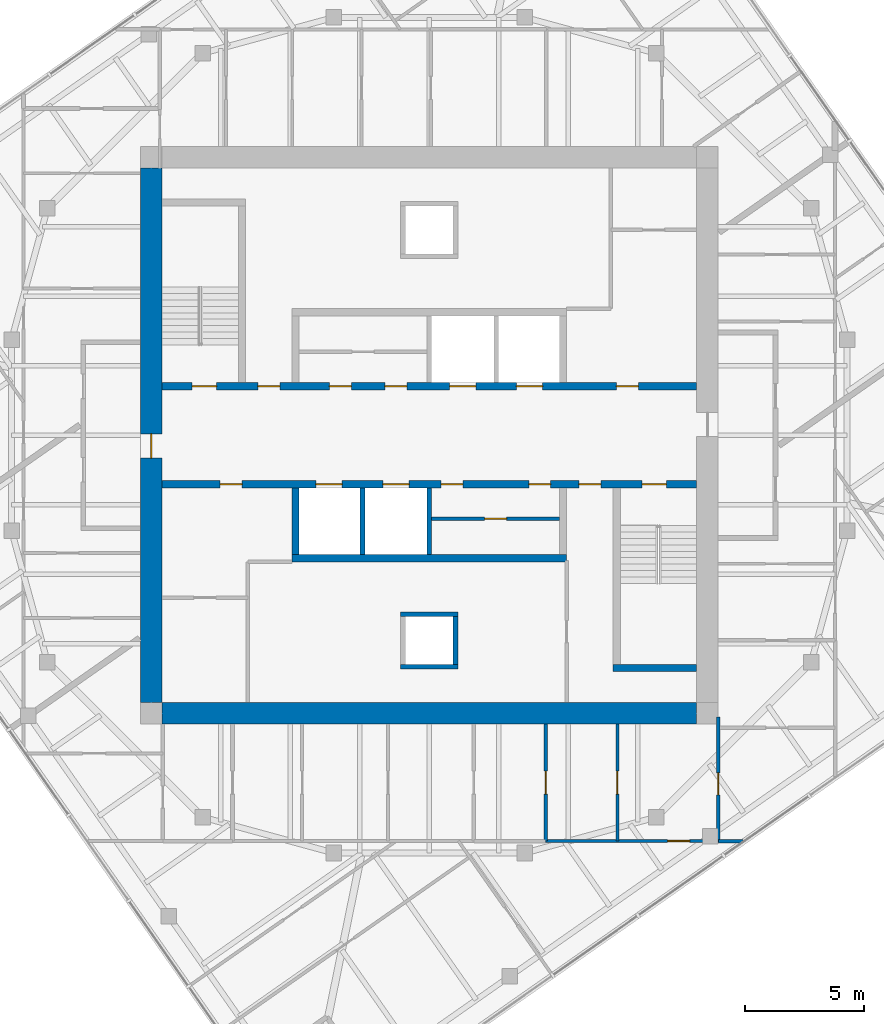
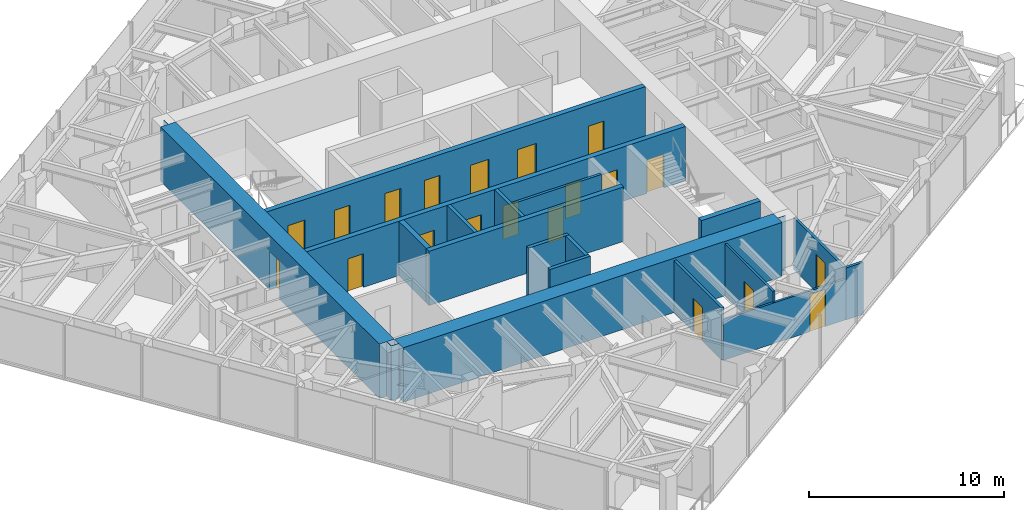
# One storey, part 8 of 12: 20 doors, 18 walls, 20 openings.
"""IFC4 building model written with IfcOpenShell, lengths in metres."""

from ifc_helpers import new_model, si_unit, direction, frame, frame_2d, origin, place, context, subcontext, project, spatial, polyline, rectangle, outline, extrude, material, layer, layer_set, type_object, element, fill, save


model = new_model("IFC4")

# Units and contexts
model_context = context("Model", 3, precision=1e-05, world=origin(), true_north=direction((0.0, 1.0)))
body_context = subcontext(model_context, "Body", "Model", "MODEL_VIEW")
ifc_project = project(units=[si_unit("LENGTHUNIT", "METRE"), si_unit("AREAUNIT", "SQUARE_METRE"), si_unit("VOLUMEUNIT", "CUBIC_METRE"), si_unit("PLANEANGLEUNIT", "RADIAN"), si_unit("MASSUNIT", "GRAM", prefix="KILO")], contexts=[model_context])

# Site, building, storey
site_placement = place(None, origin())
site = spatial("IfcSite", under=ifc_project, at=site_placement, CompositionType="ELEMENT")
building_placement = place(site_placement, origin())
building = spatial("IfcBuilding", under=site, at=building_placement, Name="Torsade Residences", CompositionType="ELEMENT")
storey_placement = place(building_placement, frame((0.0, 0.0, 247.199951171875)))
storey = spatial("IfcBuildingStorey", under=building, at=storey_placement, Name="L68", CompositionType="ELEMENT", Elevation=247.199951171875)

# Wall, openings, doors
ifc_material_1 = material(Name="Concrete 80 MPa", Category="concrete")
ifc_layer_1 = layer(ifc_material_1, 0.300048828125)
ifc_layer_set_1 = layer_set([ifc_layer_1], Name="Concrete 80 MPa")
wall_type_1 = type_object("IfcWallType", Name="CORE INTERNAL WALL 300", PredefinedType="SHEAR", material=ifc_layer_set_1)
wall_1_placement = place(storey_placement, frame((28.800048828125, 32.050048828125, 0.0), z_axis=(0.0, 0.0, 1.0), x_axis=(1.0, 0.0, 0.0)))
wall_1 = element("IfcWall", 1, at=wall_1_placement, inside=storey, type_object=wall_type_1, Name="Core wall LN L68", PredefinedType="SHEAR", context=body_context, shape_type="SweptSolid", body=[
    extrude(rectangle(XDim=22.39990234375, YDim=0.300048828125, at=frame_2d((11.199951171875, 0.0))), origin(), (0.0, 0.0, 1.0), 3.400146484375),
])
opening_1_placement = place(wall_1_placement, frame((19.0400390625, 0.0, 0.0)))
opening_1 = element("IfcOpeningElement", 2, at=opening_1_placement, cuts=wall_1, Name="Opening D06", PredefinedType="OPENING", context=body_context, shape_type="SweptSolid", body=[
    extrude(rectangle(XDim=0.919921875, YDim=2.10009765625, at=frame_2d((0.4599609375, 1.050048828125))), frame((0.0, 0.159912109375, 0.0), z_axis=(0.0, -1.0, 0.0), x_axis=(1.0, 0.0, 0.0)), (0.0, 0.0, 1.0), 0.320068359375),
])
opening_2_placement = place(wall_1_placement, frame((1.264892578125, 0.0, 0.0)))
opening_2 = element("IfcOpeningElement", 3, at=opening_2_placement, cuts=wall_1, Name="Opening D03", PredefinedType="OPENING", context=body_context, shape_type="SweptSolid", body=[
    extrude(rectangle(XDim=1.02001953125, YDim=2.10009765625, at=frame_2d((0.510009765625, 1.050048828125))), frame((0.0, 0.159912109375, 0.0), z_axis=(0.0, -1.0, 0.0), x_axis=(1.0, 0.0, 0.0)), (0.0, 0.0, 1.0), 0.320068359375),
])
opening_3_placement = place(wall_1_placement, frame((4.014892578125, 0.0, 0.0)))
opening_3 = element("IfcOpeningElement", 4, at=opening_3_placement, cuts=wall_1, Name="Opening D06", PredefinedType="OPENING", context=body_context, shape_type="SweptSolid", body=[
    extrude(rectangle(XDim=0.919921875, YDim=2.10009765625, at=frame_2d((0.4599609375, 1.050048828125))), frame((0.0, 0.159912109375, 0.0), z_axis=(0.0, -1.0, 0.0), x_axis=(1.0, 0.0, 0.0)), (0.0, 0.0, 1.0), 0.320068359375),
])
opening_4_placement = place(wall_1_placement, frame((7.014892578125, 0.0, 0.0)))
opening_4 = element("IfcOpeningElement", 5, at=opening_4_placement, cuts=wall_1, Name="Opening D06", PredefinedType="OPENING", context=body_context, shape_type="SweptSolid", body=[
    extrude(rectangle(XDim=0.919921875, YDim=2.10009765625, at=frame_2d((0.4599609375, 1.050048828125))), frame((0.0, 0.159912109375, 0.0), z_axis=(0.0, -1.0, 0.0), x_axis=(1.0, 0.0, 0.0)), (0.0, 0.0, 1.0), 0.320068359375),
])
opening_5_placement = place(wall_1_placement, frame((9.340087890625, 0.0, 0.0)))
opening_5 = element("IfcOpeningElement", 6, at=opening_5_placement, cuts=wall_1, Name="Opening D06", PredefinedType="OPENING", context=body_context, shape_type="SweptSolid", body=[
    extrude(rectangle(XDim=0.919921875, YDim=2.10009765625, at=frame_2d((0.4599609375, 1.050048828125))), frame((0.0, 0.159912109375, 0.0), z_axis=(0.0, -1.0, 0.0), x_axis=(1.0, 0.0, 0.0)), (0.0, 0.0, 1.0), 0.320068359375),
])
opening_6_placement = place(wall_1_placement, frame((12.050048828125, 0.0, 0.0)))
opening_6 = element("IfcOpeningElement", 7, at=opening_6_placement, cuts=wall_1, Name="Opening LD", PredefinedType="OPENING", context=body_context, shape_type="SweptSolid", body=[
    extrude(rectangle(XDim=1.10009765625, YDim=2.10009765625, at=frame_2d((0.550048828125, 1.050048828125))), frame((0.0, 0.159912109375, 0.0), z_axis=(0.0, -1.0, 0.0), x_axis=(1.0, 0.0, 0.0)), (0.0, 0.0, 1.0), 0.320068359375),
])
opening_7_placement = place(wall_1_placement, frame((14.85009765625, 0.0, 0.0)))
opening_7 = element("IfcOpeningElement", 8, at=opening_7_placement, cuts=wall_1, Name="Opening LD", PredefinedType="OPENING", context=body_context, shape_type="SweptSolid", body=[
    extrude(rectangle(XDim=1.10009765625, YDim=2.10009765625, at=frame_2d((0.550048828125, 1.050048828125))), frame((0.0, 0.159912109375, 0.0), z_axis=(0.0, -1.0, 0.0), x_axis=(1.0, 0.0, 0.0)), (0.0, 0.0, 1.0), 0.320068359375),
])
ifc_material_2 = material(Name="Steel-framed fire door", Category="steel")
door_type_1 = type_object("IfcDoorType", Name="FIRE DOOR 1020", OperationType="NOTDEFINED", PredefinedType="DOOR", material=ifc_material_2)
door_1_placement = place(opening_2_placement, origin())
door_1 = element("IfcDoor", 9, at=door_1_placement, inside=storey, type_object=door_type_1, Name="Exit door to fire-isolated stair ST1 L68", OperationType="SINGLE_SWING_RIGHT", OverallHeight=2.10009765625, OverallWidth=1.02001953125, PredefinedType="DOOR", context=body_context, shape_type="SweptSolid", body=[
    extrude(rectangle(XDim=1.02001953125, YDim=2.10009765625, at=frame_2d((0.510009765625, 1.050048828125))), frame((0.0, 0.02490234375, 0.0), z_axis=(0.0, -1.0, 0.0), x_axis=(1.0, 0.0, 0.0)), (0.0, 0.0, 1.0), 0.050048828125),
])
fill(opening_2, door_1)
ifc_material_3 = material(Name="Steel-framed fire door", Category="steel")
door_type_2 = type_object("IfcDoorType", Name="FIRE DOOR 920", OperationType="NOTDEFINED", PredefinedType="DOOR", material=ifc_material_3)
door_2_placement = place(opening_1_placement, origin())
door_2 = element("IfcDoor", 10, at=door_2_placement, inside=storey, type_object=door_type_2, Name="Door Lift lobby to Refuse room", OperationType="SINGLE_SWING_LEFT", OverallHeight=2.10009765625, OverallWidth=0.919921875, PredefinedType="DOOR", context=body_context, shape_type="SweptSolid", body=[
    extrude(rectangle(XDim=0.919921875, YDim=2.10009765625, at=frame_2d((0.4599609375, 1.050048828125))), frame((0.0, 0.02490234375, 0.0), z_axis=(0.0, -1.0, 0.0), x_axis=(1.0, 0.0, 0.0)), (0.0, 0.0, 1.0), 0.050048828125),
])
fill(opening_1, door_2)
door_3_placement = place(opening_3_placement, origin())
door_3 = element("IfcDoor", 11, at=door_3_placement, inside=storey, type_object=door_type_2, Name="Door Lift lobby to Electrical riser room", OperationType="SINGLE_SWING_LEFT", OverallHeight=2.10009765625, OverallWidth=0.919921875, PredefinedType="DOOR", context=body_context, shape_type="SweptSolid", body=[
    extrude(rectangle(XDim=0.919921875, YDim=2.10009765625, at=frame_2d((0.4599609375, 1.050048828125))), frame((0.0, 0.02490234375, 0.0), z_axis=(0.0, -1.0, 0.0), x_axis=(1.0, 0.0, 0.0)), (0.0, 0.0, 1.0), 0.050048828125),
])
fill(opening_3, door_3)
door_4_placement = place(opening_4_placement, origin())
door_4 = element("IfcDoor", 12, at=door_4_placement, inside=storey, type_object=door_type_2, Name="Door Lift lobby to Residents storage L68A", OperationType="SINGLE_SWING_RIGHT", OverallHeight=2.10009765625, OverallWidth=0.919921875, PredefinedType="DOOR", context=body_context, shape_type="SweptSolid", body=[
    extrude(rectangle(XDim=0.919921875, YDim=2.10009765625, at=frame_2d((0.4599609375, 1.050048828125))), frame((0.0, 0.02490234375, 0.0), z_axis=(0.0, -1.0, 0.0), x_axis=(1.0, 0.0, 0.0)), (0.0, 0.0, 1.0), 0.050048828125),
])
fill(opening_4, door_4)
door_5_placement = place(opening_5_placement, origin())
door_5 = element("IfcDoor", 13, at=door_5_placement, inside=storey, type_object=door_type_2, Name="Door Lift lobby to Residents storage L68A", OperationType="SINGLE_SWING_RIGHT", OverallHeight=2.10009765625, OverallWidth=0.919921875, PredefinedType="DOOR", context=body_context, shape_type="SweptSolid", body=[
    extrude(rectangle(XDim=0.919921875, YDim=2.10009765625, at=frame_2d((0.4599609375, 1.050048828125))), frame((0.0, 0.02490234375, 0.0), z_axis=(0.0, -1.0, 0.0), x_axis=(1.0, 0.0, 0.0)), (0.0, 0.0, 1.0), 0.050048828125),
])
fill(opening_5, door_5)
ifc_material_4 = material(Name="Stainless steel lift landing door", Category="steel")
door_type_3 = type_object("IfcDoorType", Name="LIFT LANDING DOOR 1100", OperationType="SLIDING_TO_LEFT", PredefinedType="DOOR", material=ifc_material_4)
door_6_placement = place(opening_6_placement, origin())
door_6 = element("IfcDoor", 14, at=door_6_placement, inside=storey, type_object=door_type_3, Name="Lift LA3 landing door L68", OperationType="SLIDING_TO_LEFT", OverallHeight=2.10009765625, OverallWidth=1.10009765625, PredefinedType="DOOR", context=body_context, shape_type="SweptSolid", body=[
    extrude(rectangle(XDim=1.10009765625, YDim=2.10009765625, at=frame_2d((0.550048828125, 1.050048828125))), frame((0.0, 0.02490234375, 0.0), z_axis=(0.0, -1.0, 0.0), x_axis=(1.0, 0.0, 0.0)), (0.0, 0.0, 1.0), 0.050048828125),
])
fill(opening_6, door_6)
door_7_placement = place(opening_7_placement, origin())
door_7 = element("IfcDoor", 15, at=door_7_placement, inside=storey, type_object=door_type_3, Name="Lift FL1 landing door L68", OperationType="SLIDING_TO_LEFT", OverallHeight=2.10009765625, OverallWidth=1.10009765625, PredefinedType="DOOR", context=body_context, shape_type="SweptSolid", body=[
    extrude(rectangle(XDim=1.10009765625, YDim=2.10009765625, at=frame_2d((0.550048828125, 1.050048828125))), frame((0.0, 0.02490234375, 0.0), z_axis=(0.0, -1.0, 0.0), x_axis=(1.0, 0.0, 0.0)), (0.0, 0.0, 1.0), 0.050048828125),
])
fill(opening_7, door_7)

wall_2_placement = place(storey_placement, frame((51.199951171875, 27.949951171875, 0.0), z_axis=(0.0, 0.0, 1.0), x_axis=(-1.0, 0.0, 0.0)))
wall_2 = element("IfcWall", 16, at=wall_2_placement, inside=storey, type_object=wall_type_1, Name="Core wall LS L68", PredefinedType="SHEAR", context=body_context, shape_type="SweptSolid", body=[
    extrude(rectangle(XDim=22.39990234375, YDim=0.300048828125, at=frame_2d((11.199951171875, 0.0))), origin(), (0.0, 0.0, 1.0), 3.400146484375),
])
opening_8_placement = place(wall_2_placement, frame((19.0400390625, 0.0, 0.0)))
opening_8 = element("IfcOpeningElement", 17, at=opening_8_placement, cuts=wall_2, Name="Opening D06", PredefinedType="OPENING", context=body_context, shape_type="SweptSolid", body=[
    extrude(rectangle(XDim=0.919921875, YDim=2.10009765625, at=frame_2d((0.4599609375, 1.050048828125))), frame((0.0, 0.159912109375, 0.0), z_axis=(0.0, -1.0, 0.0), x_axis=(1.0, 0.0, 0.0)), (0.0, 0.0, 1.0), 0.320068359375),
])
opening_9_placement = place(wall_2_placement, frame((1.264892578125, 0.0, 0.0)))
opening_9 = element("IfcOpeningElement", 18, at=opening_9_placement, cuts=wall_2, Name="Opening D03", PredefinedType="OPENING", context=body_context, shape_type="SweptSolid", body=[
    extrude(rectangle(XDim=1.02001953125, YDim=2.10009765625, at=frame_2d((0.510009765625, 1.050048828125))), frame((0.0, 0.159912109375, 0.0), z_axis=(0.0, -1.0, 0.0), x_axis=(1.0, 0.0, 0.0)), (0.0, 0.0, 1.0), 0.320068359375),
])
opening_10_placement = place(wall_2_placement, frame((4.014892578125, 0.0, 0.0)))
opening_10 = element("IfcOpeningElement", 19, at=opening_10_placement, cuts=wall_2, Name="Opening D06", PredefinedType="OPENING", context=body_context, shape_type="SweptSolid", body=[
    extrude(rectangle(XDim=0.919921875, YDim=2.10009765625, at=frame_2d((0.4599609375, 1.050048828125))), frame((0.0, 0.159912109375, 0.0), z_axis=(0.0, -1.0, 0.0), x_axis=(1.0, 0.0, 0.0)), (0.0, 0.0, 1.0), 0.320068359375),
])
opening_11_placement = place(wall_2_placement, frame((9.7900390625, 0.0, 0.0)))
opening_11 = element("IfcOpeningElement", 20, at=opening_11_placement, cuts=wall_2, Name="Opening D06", PredefinedType="OPENING", context=body_context, shape_type="SweptSolid", body=[
    extrude(rectangle(XDim=0.919921875, YDim=2.10009765625, at=frame_2d((0.4599609375, 1.050048828125))), frame((0.0, 0.159912109375, 0.0), z_axis=(0.0, -1.0, 0.0), x_axis=(1.0, 0.0, 0.0)), (0.0, 0.0, 1.0), 0.320068359375),
])
opening_12_placement = place(wall_2_placement, frame((6.114990234375, 0.0, 0.0)))
opening_12 = element("IfcOpeningElement", 21, at=opening_12_placement, cuts=wall_2, Name="Opening D06", PredefinedType="OPENING", context=body_context, shape_type="SweptSolid", body=[
    extrude(rectangle(XDim=0.919921875, YDim=2.10009765625, at=frame_2d((0.4599609375, 1.050048828125))), frame((0.0, 0.159912109375, 0.0), z_axis=(0.0, -1.0, 0.0), x_axis=(1.0, 0.0, 0.0)), (0.0, 0.0, 1.0), 0.320068359375),
])
opening_13_placement = place(wall_2_placement, frame((12.050048828125, 0.0, 0.0)))
opening_13 = element("IfcOpeningElement", 22, at=opening_13_placement, cuts=wall_2, Name="Opening LD", PredefinedType="OPENING", context=body_context, shape_type="SweptSolid", body=[
    extrude(rectangle(XDim=1.10009765625, YDim=2.10009765625, at=frame_2d((0.550048828125, 1.050048828125))), frame((0.0, 0.159912109375, 0.0), z_axis=(0.0, -1.0, 0.0), x_axis=(1.0, 0.0, 0.0)), (0.0, 0.0, 1.0), 0.320068359375),
])
opening_14_placement = place(wall_2_placement, frame((14.85009765625, 0.0, 0.0)))
opening_14 = element("IfcOpeningElement", 23, at=opening_14_placement, cuts=wall_2, Name="Opening LD", PredefinedType="OPENING", context=body_context, shape_type="SweptSolid", body=[
    extrude(rectangle(XDim=1.10009765625, YDim=2.10009765625, at=frame_2d((0.550048828125, 1.050048828125))), frame((0.0, 0.159912109375, 0.0), z_axis=(0.0, -1.0, 0.0), x_axis=(1.0, 0.0, 0.0)), (0.0, 0.0, 1.0), 0.320068359375),
])
door_8_placement = place(opening_9_placement, origin())
door_8 = element("IfcDoor", 24, at=door_8_placement, inside=storey, type_object=door_type_1, Name="Exit door to fire-isolated stair ST2 L68", OperationType="SINGLE_SWING_RIGHT", OverallHeight=2.10009765625, OverallWidth=1.02001953125, PredefinedType="DOOR", context=body_context, shape_type="SweptSolid", body=[
    extrude(rectangle(XDim=1.02001953125, YDim=2.10009765625, at=frame_2d((0.510009765625, 1.050048828125))), frame((0.0, 0.02490234375, 0.0), z_axis=(0.0, -1.0, 0.0), x_axis=(1.0, 0.0, 0.0)), (0.0, 0.0, 1.0), 0.050048828125),
])
fill(opening_9, door_8)
door_9_placement = place(opening_8_placement, origin())
door_9 = element("IfcDoor", 25, at=door_9_placement, inside=storey, type_object=door_type_2, Name="Door Lift lobby to Cleaner store", OperationType="SINGLE_SWING_LEFT", OverallHeight=2.10009765625, OverallWidth=0.919921875, PredefinedType="DOOR", context=body_context, shape_type="SweptSolid", body=[
    extrude(rectangle(XDim=0.919921875, YDim=2.10009765625, at=frame_2d((0.4599609375, 1.050048828125))), frame((0.0, 0.02490234375, 0.0), z_axis=(0.0, -1.0, 0.0), x_axis=(1.0, 0.0, 0.0)), (0.0, 0.0, 1.0), 0.050048828125),
])
fill(opening_8, door_9)
door_10_placement = place(opening_10_placement, origin())
door_10 = element("IfcDoor", 26, at=door_10_placement, inside=storey, type_object=door_type_2, Name="Door Lift lobby to Communications equipment store", OperationType="SINGLE_SWING_RIGHT", OverallHeight=2.10009765625, OverallWidth=0.919921875, PredefinedType="DOOR", context=body_context, shape_type="SweptSolid", body=[
    extrude(rectangle(XDim=0.919921875, YDim=2.10009765625, at=frame_2d((0.4599609375, 1.050048828125))), frame((0.0, 0.02490234375, 0.0), z_axis=(0.0, -1.0, 0.0), x_axis=(1.0, 0.0, 0.0)), (0.0, 0.0, 1.0), 0.050048828125),
])
fill(opening_10, door_10)
door_11_placement = place(opening_11_placement, origin())
door_11 = element("IfcDoor", 27, at=door_11_placement, inside=storey, type_object=door_type_2, Name="Door Lift lobby to Residents storage L68C", OperationType="SINGLE_SWING_RIGHT", OverallHeight=2.10009765625, OverallWidth=0.919921875, PredefinedType="DOOR", context=body_context, shape_type="SweptSolid", body=[
    extrude(rectangle(XDim=0.919921875, YDim=2.10009765625, at=frame_2d((0.4599609375, 1.050048828125))), frame((0.0, 0.02490234375, 0.0), z_axis=(0.0, -1.0, 0.0), x_axis=(1.0, 0.0, 0.0)), (0.0, 0.0, 1.0), 0.050048828125),
])
fill(opening_11, door_11)
door_12_placement = place(opening_12_placement, origin())
door_12 = element("IfcDoor", 28, at=door_12_placement, inside=storey, type_object=door_type_2, Name="Door Lift lobby to Residents storage L68C", OperationType="SINGLE_SWING_LEFT", OverallHeight=2.10009765625, OverallWidth=0.919921875, PredefinedType="DOOR", context=body_context, shape_type="SweptSolid", body=[
    extrude(rectangle(XDim=0.919921875, YDim=2.10009765625, at=frame_2d((0.4599609375, 1.050048828125))), frame((0.0, 0.02490234375, 0.0), z_axis=(0.0, -1.0, 0.0), x_axis=(1.0, 0.0, 0.0)), (0.0, 0.0, 1.0), 0.050048828125),
])
fill(opening_12, door_12)
door_13_placement = place(opening_13_placement, origin())
door_13 = element("IfcDoor", 29, at=door_13_placement, inside=storey, type_object=door_type_3, Name="Lift LB3 landing door L68", OperationType="SLIDING_TO_LEFT", OverallHeight=2.10009765625, OverallWidth=1.10009765625, PredefinedType="DOOR", context=body_context, shape_type="SweptSolid", body=[
    extrude(rectangle(XDim=1.10009765625, YDim=2.10009765625, at=frame_2d((0.550048828125, 1.050048828125))), frame((0.0, 0.02490234375, 0.0), z_axis=(0.0, -1.0, 0.0), x_axis=(1.0, 0.0, 0.0)), (0.0, 0.0, 1.0), 0.050048828125),
])
fill(opening_13, door_13)
door_14_placement = place(opening_14_placement, origin())
door_14 = element("IfcDoor", 30, at=door_14_placement, inside=storey, type_object=door_type_3, Name="Lift FL2 landing door L68", OperationType="SLIDING_TO_LEFT", OverallHeight=2.10009765625, OverallWidth=1.10009765625, PredefinedType="DOOR", context=body_context, shape_type="SweptSolid", body=[
    extrude(rectangle(XDim=1.10009765625, YDim=2.10009765625, at=frame_2d((0.550048828125, 1.050048828125))), frame((0.0, 0.02490234375, 0.0), z_axis=(0.0, -1.0, 0.0), x_axis=(1.0, 0.0, 0.0)), (0.0, 0.0, 1.0), 0.050048828125),
])
fill(opening_14, door_14)

# Walls
wall_3_placement = place(storey_placement, frame((45.75, 24.85009765625, 0.0), z_axis=(0.0, 0.0, 1.0), x_axis=(-1.0, 0.0, 0.0)))
element("IfcWall", 31, at=wall_3_placement, inside=storey, type_object=wall_type_1, Name="Core wall BS L68", PredefinedType="SHEAR", context=body_context, shape_type="SweptSolid", body=[
    extrude(rectangle(XDim=11.5, YDim=0.300048828125, at=frame_2d((5.75, 0.0))), origin(), (0.0, 0.0, 1.0), 3.400146484375),
])
wall_4_placement = place(storey_placement, frame((34.39990234375, 27.800048828125, 0.0), z_axis=(0.0, 0.0, 1.0), x_axis=(0.0, -1.0, 0.0)))
element("IfcWall", 32, at=wall_4_placement, inside=storey, type_object=wall_type_1, Name="Core wall DS4 L68", PredefinedType="SHEAR", context=body_context, shape_type="SweptSolid", body=[
    extrude(rectangle(XDim=2.800048828125, YDim=0.300048828125, at=frame_2d((1.39990234375, 0.0))), origin(), (0.0, 0.0, 1.0), 3.400146484375),
])
wall_5_placement = place(storey_placement, frame((51.199951171875, 20.25, 0.0), z_axis=(0.0, 0.0, 1.0), x_axis=(-1.0, 0.0, 0.0)))
element("IfcWall", 33, at=wall_5_placement, inside=storey, type_object=wall_type_1, Name="Core wall ST2S L68", PredefinedType="SHEAR", context=body_context, shape_type="SweptSolid", body=[
    extrude(rectangle(XDim=3.5, YDim=0.300048828125, at=frame_2d((1.75, 0.0))), origin(), (0.0, 0.0, 1.0), 3.400146484375),
])
ifc_material_5 = material(Name="Concrete 80 MPa", Category="concrete")
ifc_layer_2 = layer(ifc_material_5, 0.89990234375)
ifc_layer_set_2 = layer_set([ifc_layer_2], Name="Concrete 80 MPa")
wall_type_2 = type_object("IfcWallType", Name="CORE WALL 900", PredefinedType="SHEAR", material=ifc_layer_set_2)
wall_6_placement = place(storey_placement, frame((51.199951171875, 18.35009765625, 0.0), z_axis=(0.0, 0.0, 1.0), x_axis=(-1.0, 0.0, 0.0)))
element("IfcWall", 34, at=wall_6_placement, inside=storey, type_object=wall_type_2, Name="Core wall S L68", PredefinedType="SHEAR", context=body_context, shape_type="SweptSolid", body=[
    extrude(outline(polyline([(0.0, -0.449951171875), (22.39990234375, -0.449951171875), (22.39990234375, -0.02490234375), (22.849853515625, -0.02490234375), (22.849853515625, 0.02490234375), (22.39990234375, 0.02490234375), (22.39990234375, 0.449951171875), (0.0, 0.449951171875), (0.0, 0.02490234375), (-0.449951171875, 0.02490234375), (-0.449951171875, -0.02490234375), (0.0, -0.02490234375), (0.0, -0.449951171875)])), origin(), (0.0, 0.0, 1.0), 3.400146484375),
])

# Wall, opening, door
wall_7_placement = place(storey_placement, frame((28.35009765625, 41.199951171875, 0.0), z_axis=(0.0, 0.0, 1.0), x_axis=(0.0, -1.0, 0.0)))
wall_7 = element("IfcWall", 35, at=wall_7_placement, inside=storey, type_object=wall_type_2, Name="Core wall W L68", PredefinedType="SHEAR", context=body_context, shape_type="SweptSolid", body=[
    extrude(outline(polyline([(0.0, -0.449951171875), (22.39990234375, -0.449951171875), (22.39990234375, -0.02490234375), (22.849853515625, -0.02490234375), (22.849853515625, 0.02490234375), (22.39990234375, 0.02490234375), (22.39990234375, 0.449951171875), (0.0, 0.449951171875), (0.0, 0.02490234375), (-0.449951171875, 0.02490234375), (-0.449951171875, -0.02490234375), (0.0, -0.02490234375), (0.0, -0.449951171875)])), origin(), (0.0, 0.0, 1.0), 3.400146484375),
])
opening_15_placement = place(wall_7_placement, frame((11.139892578125, 0.0, 0.0)))
opening_15 = element("IfcOpeningElement", 36, at=opening_15_placement, cuts=wall_7, Name="Opening D04", PredefinedType="OPENING", context=body_context, shape_type="SweptSolid", body=[
    extrude(rectangle(XDim=1.02001953125, YDim=2.39990234375, at=frame_2d((0.510009765625, 1.199951171875))), frame((0.0, 0.4599609375, 0.0), z_axis=(0.0, -1.0, 0.0), x_axis=(1.0, 0.0, 0.0)), (0.0, 0.0, 1.0), 0.919921875),
])
ifc_material_6 = material(Name="Steel-framed fire door", Category="steel")
door_type_4 = type_object("IfcDoorType", Name="LOBBY SMOKE DOOR 1020x2400", OperationType="NOTDEFINED", PredefinedType="DOOR", material=ifc_material_6)
door_15_placement = place(opening_15_placement, origin())
door_15 = element("IfcDoor", 37, at=door_15_placement, inside=storey, type_object=door_type_4, Name="Lift lobby door W L68", OperationType="SINGLE_SWING_RIGHT", OverallHeight=2.39990234375, OverallWidth=1.02001953125, PredefinedType="DOOR", context=body_context, shape_type="SweptSolid", body=[
    extrude(rectangle(XDim=1.02001953125, YDim=2.39990234375, at=frame_2d((0.510009765625, 1.199951171875))), frame((0.0, 0.02490234375, 0.0), z_axis=(0.0, -1.0, 0.0), x_axis=(1.0, 0.0, 0.0)), (0.0, 0.0, 1.0), 0.050048828125),
])
fill(opening_15, door_15)

# Walls
ifc_material_7 = material(Name="Reinforced blockwork", Category="masonry")
ifc_layer_3 = layer(ifc_material_7, 0.199951171875)
ifc_layer_set_3 = layer_set([ifc_layer_3], Name="Reinforced blockwork")
wall_type_3 = type_object("IfcWallType", Name="LIFT SHAFT DIVIDING WALL 200", PredefinedType="SOLIDWALL", material=ifc_layer_set_3)
for number, where, z_axis, x_axis, name in (
    (38, (40.0, 27.800048828125, 0.0), (0.0, 0.0, 1.0), (0.0, -1.0, 0.0), "Core wall DS2 L68"),
    (39, (37.199951171875, 27.800048828125, 0.0), (0.0, 0.0, 1.0), (0.0, -1.0, 0.0), "Core wall DS3 L68"),
):
    element("IfcWall", number, at=place(storey_placement, frame(where, z_axis=z_axis, x_axis=x_axis)), inside=storey, type_object=wall_type_3, Name=name, PredefinedType="SOLIDWALL", context=body_context, shape_type="SweptSolid", body=[
        extrude(rectangle(XDim=2.800048828125, YDim=0.199951171875, at=frame_2d((1.39990234375, 0.0))), origin(), (0.0, 0.0, 1.0), 3.400146484375),
    ])

# Wall, opening, door
ifc_material_8 = material(Name="Plasterboard on steel stud", Category="steel")
ifc_layer_4 = layer(ifc_material_8, 0.1201171875)
ifc_layer_set_4 = layer_set([ifc_layer_4], Name="Plasterboard on steel stud")
wall_type_4 = type_object("IfcWallType", Name="PARTITION 120", PredefinedType="PARTITIONING", material=ifc_layer_set_4)
wall_8_placement = place(storey_placement, frame((47.87841796875, 17.89990234375, 0.0), z_axis=(0.0, 0.0, 1.0), x_axis=(0.0, -1.0, 0.0)))
wall_8 = element("IfcWall", 40, at=wall_8_placement, inside=storey, type_object=wall_type_4, Name="Partition L68", PredefinedType="PARTITIONING", context=body_context, shape_type="SweptSolid", body=[
    extrude(rectangle(XDim=4.89990234375, YDim=0.1201171875, at=frame_2d((2.449951171875, 0.0))), origin(), (0.0, 0.0, 1.0), 3.25),
])
opening_16_placement = place(wall_8_placement, frame((1.969970703125, 0.0, 0.0)))
opening_16 = element("IfcOpeningElement", 41, at=opening_16_placement, cuts=wall_8, Name="Opening D05", PredefinedType="OPENING", context=body_context, shape_type="SweptSolid", body=[
    extrude(rectangle(XDim=0.9599609375, YDim=2.10009765625, at=frame_2d((0.47998046875, 1.050048828125))), frame((0.0, 0.070068359375, 0.0), z_axis=(0.0, -1.0, 0.0), x_axis=(1.0, 0.0, 0.0)), (0.0, 0.0, 1.0), 0.14013671875),
])
ifc_material_9 = material(Name="Hollow-core timber door in a steel cavity frame", Category="steel")
door_type_5 = type_object("IfcDoorType", Name="BATHROOM CAVITY SLIDING DOOR 960", OperationType="SLIDING_TO_LEFT", PredefinedType="DOOR", material=ifc_material_9)
door_16_placement = place(opening_16_placement, origin())
door_16 = element("IfcDoor", 42, at=door_16_placement, inside=storey, type_object=door_type_5, Name="Door Study to Laundry", OperationType="SLIDING_TO_LEFT", OverallHeight=2.10009765625, OverallWidth=0.9599609375, PredefinedType="DOOR", context=body_context, shape_type="SweptSolid", body=[
    extrude(rectangle(XDim=0.9599609375, YDim=2.10009765625, at=frame_2d((0.47998046875, 1.050048828125))), frame((0.0, 0.02490234375, 0.0), z_axis=(0.0, -1.0, 0.0), x_axis=(1.0, 0.0, 0.0)), (0.0, 0.0, 1.0), 0.050048828125),
])
fill(opening_16, door_16)

wall_9_placement = place(storey_placement, frame((52.10888671875, 13.0, 0.0), z_axis=(0.0, 0.0, 1.0), x_axis=(-1.0, 0.0, 0.0)))
wall_9 = element("IfcWall", 43, at=wall_9_placement, inside=storey, type_object=wall_type_4, Name="Partition L68", PredefinedType="PARTITIONING", context=body_context, shape_type="SweptSolid", body=[
    extrude(rectangle(XDim=7.237548828125, YDim=0.1201171875, at=frame_2d((3.61865234375, 0.0))), origin(), (0.0, 0.0, 1.0), 2.550048828125),
])
opening_17_placement = place(wall_9_placement, frame((1.205078125, 0.0, 0.0)))
opening_17 = element("IfcOpeningElement", 44, at=opening_17_placement, cuts=wall_9, Name="Opening D02", PredefinedType="OPENING", context=body_context, shape_type="SweptSolid", body=[
    extrude(rectangle(XDim=0.919921875, YDim=2.340087890625, at=frame_2d((0.4599609375, 1.169921875))), frame((0.0, 0.070068359375, 0.0), z_axis=(0.0, -1.0, 0.0), x_axis=(1.0, 0.0, 0.0)), (0.0, 0.0, 1.0), 0.14013671875),
])
ifc_material_10 = material(Name="Hollow-core timber door", Category="wood")
door_type_6 = type_object("IfcDoorType", Name="INTERNAL DOOR 920x2340", OperationType="NOTDEFINED", PredefinedType="DOOR", material=ifc_material_10)
door_17_placement = place(opening_17_placement, origin())
door_17 = element("IfcDoor", 45, at=door_17_placement, inside=storey, type_object=door_type_6, Name="Door Study to Study 2", OperationType="SINGLE_SWING_LEFT", OverallHeight=2.340087890625, OverallWidth=0.919921875, PredefinedType="DOOR", context=body_context, shape_type="SweptSolid", body=[
    extrude(rectangle(XDim=0.919921875, YDim=2.340087890625, at=frame_2d((0.4599609375, 1.169921875))), frame((0.0, 0.02490234375, 0.0), z_axis=(0.0, -1.0, 0.0), x_axis=(1.0, 0.0, 0.0)), (0.0, 0.0, 1.0), 0.050048828125),
])
fill(opening_17, door_17)

# Walls
ifc_material_11 = material(Name="Reinforced blockwork", Category="masonry")
ifc_layer_5 = layer(ifc_material_11, 0.199951171875)
ifc_layer_set_5 = layer_set([ifc_layer_5], Name="Reinforced blockwork")
wall_type_5 = type_object("IfcWallType", Name="RISER SHAFT WALL 200", PredefinedType="SOLIDWALL", material=ifc_layer_set_5)
wall_10_placement = place(storey_placement, frame((41.10009765625, 22.39990234375, 0.0), z_axis=(0.0, 0.0, 1.0), x_axis=(0.0, -1.0, 0.0)))
element("IfcWall", 46, at=wall_10_placement, inside=storey, type_object=wall_type_5, Name="Core wall RS2b L68", PredefinedType="SOLIDWALL", context=body_context, shape_type="SweptSolid", body=[
    extrude(rectangle(XDim=2.0, YDim=0.199951171875, at=frame_2d((1.0, 0.0))), origin(), (0.0, 0.0, 1.0), 3.400146484375),
])
for number, where, z_axis, x_axis, name in (
    (47, (38.800048828125, 22.5, 0.0), (0.0, 0.0, 1.0), (1.0, 0.0, 0.0), "Core wall RS2c L68"),
    (48, (38.800048828125, 20.300048828125, 0.0), (0.0, 0.0, 1.0), (1.0, 0.0, 0.0), "Core wall RS2d L68"),
):
    element("IfcWall", number, at=place(storey_placement, frame(where, z_axis=z_axis, x_axis=x_axis)), inside=storey, type_object=wall_type_5, Name=name, PredefinedType="SOLIDWALL", context=body_context, shape_type="SweptSolid", body=[
        extrude(rectangle(XDim=2.39990234375, YDim=0.199951171875, at=frame_2d((1.199951171875, 0.0))), origin(), (0.0, 0.0, 1.0), 3.400146484375),
    ])

# Wall, opening, door
ifc_material_12 = material(Name="Reinforced blockwork", Category="masonry")
ifc_layer_6 = layer(ifc_material_12, 0.14990234375)
ifc_layer_set_6 = layer_set([ifc_layer_6], Name="Reinforced blockwork")
wall_type_6 = type_object("IfcWallType", Name="SERVICE ROOM WALL 150", PredefinedType="SOLIDWALL", material=ifc_layer_set_6)
wall_11_placement = place(storey_placement, frame((44.871337890625, 13.0, 0.0), z_axis=(0.0, 0.0, 1.0), x_axis=(0.0, 1.0, 0.0)))
wall_11 = element("IfcWall", 49, at=wall_11_placement, inside=storey, type_object=wall_type_6, Name="Service room wall L68", PredefinedType="SOLIDWALL", context=body_context, shape_type="SweptSolid", body=[
    extrude(rectangle(XDim=4.89990234375, YDim=0.14990234375, at=frame_2d((2.449951171875, 0.0))), origin(), (0.0, 0.0, 1.0), 3.25),
])
opening_18_placement = place(wall_11_placement, frame((1.969970703125, 0.0, 0.0)))
opening_18 = element("IfcOpeningElement", 50, at=opening_18_placement, cuts=wall_11, Name="Opening D05", PredefinedType="OPENING", context=body_context, shape_type="SweptSolid", body=[
    extrude(rectangle(XDim=0.9599609375, YDim=2.10009765625, at=frame_2d((0.47998046875, 1.050048828125))), frame((0.0, 0.0849609375, 0.0), z_axis=(0.0, -1.0, 0.0), x_axis=(1.0, 0.0, 0.0)), (0.0, 0.0, 1.0), 0.169921875),
])
door_18_placement = place(opening_18_placement, origin())
door_18 = element("IfcDoor", 51, at=door_18_placement, inside=storey, type_object=door_type_5, Name="Door Laundry to Linen store 2", OperationType="SLIDING_TO_LEFT", OverallHeight=2.10009765625, OverallWidth=0.9599609375, PredefinedType="DOOR", context=body_context, shape_type="SweptSolid", body=[
    extrude(rectangle(XDim=0.9599609375, YDim=2.10009765625, at=frame_2d((0.47998046875, 1.050048828125))), frame((0.0, 0.02490234375, 0.0), z_axis=(0.0, -1.0, 0.0), x_axis=(1.0, 0.0, 0.0)), (0.0, 0.0, 1.0), 0.050048828125),
])
fill(opening_18, door_18)

wall_12_placement = place(storey_placement, frame((52.10888671875, 18.193603515625, 0.0), z_axis=(0.0, 0.0, 1.0), x_axis=(0.0, -1.0, 0.0)))
wall_12 = element("IfcWall", 52, at=wall_12_placement, inside=storey, type_object=wall_type_6, Name="Service room wall L68", PredefinedType="SOLIDWALL", context=body_context, shape_type="SweptSolid", body=[
    extrude(rectangle(XDim=5.193603515625, YDim=0.14990234375, at=frame_2d((2.5966796875, 0.0))), origin(), (0.0, 0.0, 1.0), 3.25),
])
opening_19_placement = place(wall_12_placement, frame((2.336669921875, 0.0, 0.0)))
opening_19 = element("IfcOpeningElement", 53, at=opening_19_placement, cuts=wall_12, Name="Opening D02", PredefinedType="OPENING", context=body_context, shape_type="SweptSolid", body=[
    extrude(rectangle(XDim=0.919921875, YDim=2.340087890625, at=frame_2d((0.4599609375, 1.169921875))), frame((0.0, 0.0849609375, 0.0), z_axis=(0.0, -1.0, 0.0), x_axis=(1.0, 0.0, 0.0)), (0.0, 0.0, 1.0), 0.169921875),
])
door_19_placement = place(opening_19_placement, origin())
door_19 = element("IfcDoor", 54, at=door_19_placement, inside=storey, type_object=door_type_6, Name="Door Linen store 3 to Study", OperationType="SINGLE_SWING_LEFT", OverallHeight=2.340087890625, OverallWidth=0.919921875, PredefinedType="DOOR", context=body_context, shape_type="SweptSolid", body=[
    extrude(rectangle(XDim=0.919921875, YDim=2.340087890625, at=frame_2d((0.4599609375, 1.169921875))), frame((0.0, 0.02490234375, 0.0), z_axis=(0.0, -1.0, 0.0), x_axis=(1.0, 0.0, 0.0)), (0.0, 0.0, 1.0), 0.050048828125),
])
fill(opening_19, door_19)

# Wall
wall_13_placement = place(storey_placement, frame((53.1357421875, 13.0, 0.0), z_axis=(0.0, 0.0, 1.0), x_axis=(-1.0, 0.0, 0.0)))
element("IfcWall", 55, at=wall_13_placement, inside=storey, type_object=wall_type_6, Name="Service room wall L68", PredefinedType="SOLIDWALL", context=body_context, shape_type="SweptSolid", body=[
    extrude(rectangle(XDim=1.02685546875, YDim=0.14990234375, at=frame_2d((0.513427734375, 0.0))), origin(), (0.0, 0.0, 1.0), 3.25),
])

# Wall, opening, door
wall_14_placement = place(storey_placement, frame((40.10009765625, 26.5, 0.0), z_axis=(0.0, 0.0, 1.0), x_axis=(1.0, 0.0, 0.0)))
wall_14 = element("IfcWall", 56, at=wall_14_placement, inside=storey, type_object=wall_type_6, Name="Service room wall L68", PredefinedType="SOLIDWALL", context=body_context, shape_type="SweptSolid", body=[
    extrude(rectangle(XDim=5.349853515625, YDim=0.14990234375, at=frame_2d((2.6748046875, 0.0))), origin(), (0.0, 0.0, 1.0), 3.25),
])
opening_20_placement = place(wall_14_placement, frame((2.215087890625, 0.0, 0.0)))
opening_20 = element("IfcOpeningElement", 57, at=opening_20_placement, cuts=wall_14, Name="Opening D06", PredefinedType="OPENING", context=body_context, shape_type="SweptSolid", body=[
    extrude(rectangle(XDim=0.919921875, YDim=2.10009765625, at=frame_2d((0.4599609375, 1.050048828125))), frame((0.0, 0.0849609375, 0.0), z_axis=(0.0, -1.0, 0.0), x_axis=(1.0, 0.0, 0.0)), (0.0, 0.0, 1.0), 0.169921875),
])
door_20_placement = place(opening_20_placement, origin())
door_20 = element("IfcDoor", 58, at=door_20_placement, inside=storey, type_object=door_type_2, Name="Door Residents storage L68C to Records store L68D", OperationType="SINGLE_SWING_LEFT", OverallHeight=2.10009765625, OverallWidth=0.919921875, PredefinedType="DOOR", context=body_context, shape_type="SweptSolid", body=[
    extrude(rectangle(XDim=0.919921875, YDim=2.10009765625, at=frame_2d((0.4599609375, 1.050048828125))), frame((0.0, 0.02490234375, 0.0), z_axis=(0.0, -1.0, 0.0), x_axis=(1.0, 0.0, 0.0)), (0.0, 0.0, 1.0), 0.050048828125),
])
fill(opening_20, door_20)

save(model, "model.ifc")
